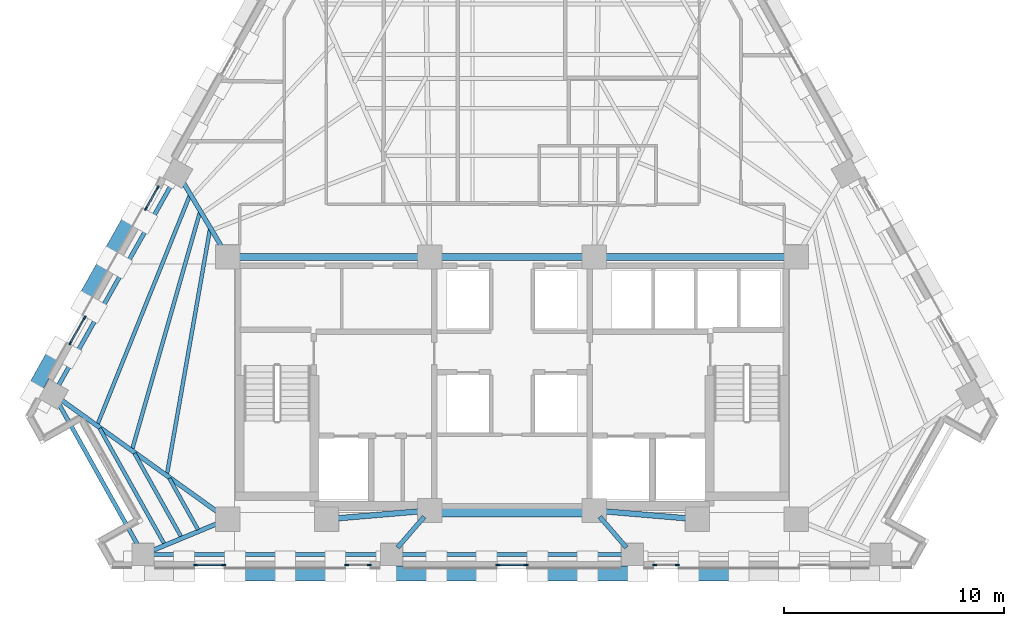
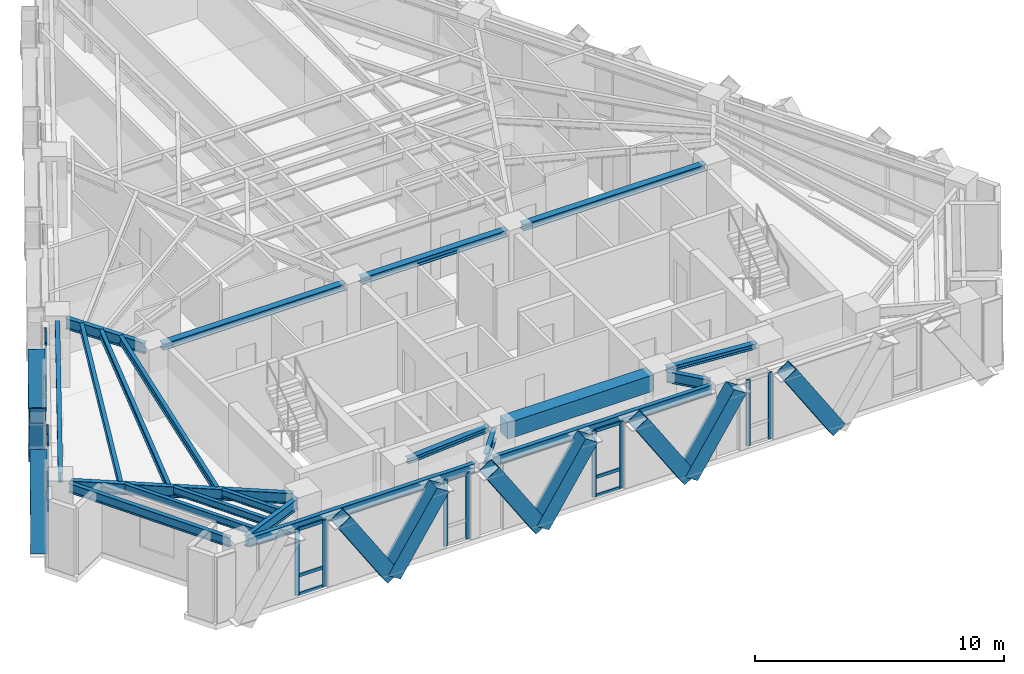
# One storey, part 2 of 13: 34 members, 21 beams, 6 elements without a shape of their own.
"""IFC4 building model written with IfcOpenShell, lengths in metres."""

from ifc_helpers import new_model, si_unit, direction, frame, origin, origin_2d, place, context, subcontext, project, spatial, rectangle, hollow_rectangle, i_section, extrude, material, material_profile, profile_set, type_object, element, aggregate, save


model = new_model("IFC4")

# Units and contexts
model_context = context("Model", 3, precision=1e-05, world=origin(), true_north=direction((0.0, 1.0)))
body_context = subcontext(model_context, "Body", "Model", "MODEL_VIEW")
ifc_project = project(units=[si_unit("LENGTHUNIT", "METRE"), si_unit("AREAUNIT", "SQUARE_METRE"), si_unit("VOLUMEUNIT", "CUBIC_METRE"), si_unit("PLANEANGLEUNIT", "RADIAN"), si_unit("MASSUNIT", "GRAM", prefix="KILO")], contexts=[model_context])

# Site, building, storey
site_placement = place(None, origin())
site = spatial("IfcSite", under=ifc_project, at=site_placement, CompositionType="ELEMENT")
building_placement = place(site_placement, origin())
building = spatial("IfcBuilding", under=site, at=building_placement, Name="Quenlor Broadcast Tower", CompositionType="ELEMENT")
storey_placement = place(building_placement, frame((0.0, 0.0, 172.0)))
storey = spatial("IfcBuildingStorey", under=building, at=storey_placement, Name="L47", CompositionType="ELEMENT", Elevation=172.0)

# Curtain wall, members
ifc_material_1 = material(Name="Architectural Terracotta and Low-E Glazing", Category="masonry")
curtain_wall_type = type_object("IfcCurtainWallType", Name="Unitised Terracotta Curtain Wall System Z3", PredefinedType="NOTDEFINED", material=ifc_material_1)
curtain_wall_1_placement = place(storey_placement, origin())
curtain_wall_1 = element("IfcCurtainWall", 1, at=curtain_wall_1_placement, inside=storey, type_object=curtain_wall_type, Name="L47 Curtain Wall CW3 (L47-SA-G2)", PredefinedType="NOTDEFINED")
ifc_material_2 = material(Name="Aluminium 6063-T6", Category="aluminium")
ifc_material_profile_1 = material_profile(ifc_material_2, rectangle(XDim=0.070068359375, YDim=0.18994140625, at=origin_2d()))
ifc_profile_set_1 = profile_set([ifc_material_profile_1], Name="Aluminium 6063-T6 MULL70x190")
member_type_1 = type_object("IfcMemberType", Name="CW3 Aluminium Mullion MULL_CW3", PredefinedType="MULLION", material=ifc_profile_set_1)
member_1_placement = place(storey_placement, frame((7.52197265625, -18.824951171875, 0.0), z_axis=(0.0, 0.0, 1.0), x_axis=(0.0, -1.0, 0.0)))
member_1 = element("IfcMember", 2, at=member_1_placement, type_object=member_type_1, Name="CW3 mullion 1", PredefinedType="MULLION", context=body_context, shape_type="SweptSolid", body=[
    extrude(rectangle(XDim=0.070068359375, YDim=0.18994140625, at=origin_2d()), origin(), (0.0, 0.0, 1.0), 3.25),
])
member_2_placement = place(storey_placement, frame((6.5009765625, -18.824951171875, 0.0), z_axis=(0.0, 0.0, 1.0), x_axis=(0.0, -1.0, 0.0)))
member_2 = element("IfcMember", 3, at=member_2_placement, type_object=member_type_1, Name="CW3 mullion 2", PredefinedType="MULLION", context=body_context, shape_type="SweptSolid", body=[
    extrude(rectangle(XDim=0.070068359375, YDim=0.18994140625, at=origin_2d()), origin(), (0.0, 0.0, 1.0), 3.25),
])
aggregate(curtain_wall_1, [member_1, member_2])

curtain_wall_2_placement = place(storey_placement, origin())
curtain_wall_2 = element("IfcCurtainWall", 4, at=curtain_wall_2_placement, inside=storey, type_object=curtain_wall_type, Name="L47 Curtain Wall CW3 (L47-SC-G1)", PredefinedType="NOTDEFINED")
member_3_placement = place(storey_placement, frame((-6.5009765625, -18.824951171875, 0.0), z_axis=(0.0, 0.0, 1.0), x_axis=(0.0, -1.0, 0.0)))
member_3 = element("IfcMember", 5, at=member_3_placement, type_object=member_type_1, Name="CW3 mullion 1", PredefinedType="MULLION", context=body_context, shape_type="SweptSolid", body=[
    extrude(rectangle(XDim=0.070068359375, YDim=0.18994140625, at=origin_2d()), origin(), (0.0, 0.0, 1.0), 3.25),
])
member_4_placement = place(storey_placement, frame((-7.52197265625, -18.824951171875, 0.0), z_axis=(0.0, 0.0, 1.0), x_axis=(0.0, -1.0, 0.0)))
member_4 = element("IfcMember", 6, at=member_4_placement, type_object=member_type_1, Name="CW3 mullion 2", PredefinedType="MULLION", context=body_context, shape_type="SweptSolid", body=[
    extrude(rectangle(XDim=0.070068359375, YDim=0.18994140625, at=origin_2d()), origin(), (0.0, 0.0, 1.0), 3.25),
])
aggregate(curtain_wall_2, [member_3, member_4])

curtain_wall_3_placement = place(storey_placement, origin())
curtain_wall_3 = element("IfcCurtainWall", 7, at=curtain_wall_3_placement, inside=storey, type_object=curtain_wall_type, Name="L47 Curtain Wall CW3 (L47-SC-G2)", PredefinedType="NOTDEFINED")
member_5_placement = place(storey_placement, frame((-13.14208984375, -18.824951171875, 0.0), z_axis=(0.0, 0.0, 1.0), x_axis=(0.0, -1.0, 0.0)))
member_5 = element("IfcMember", 8, at=member_5_placement, type_object=member_type_1, Name="CW3 mullion 1", PredefinedType="MULLION", context=body_context, shape_type="SweptSolid", body=[
    extrude(rectangle(XDim=0.070068359375, YDim=0.18994140625, at=origin_2d()), origin(), (0.0, 0.0, 1.0), 3.25),
])
member_6_placement = place(storey_placement, frame((-14.409912109375, -18.824951171875, 0.0), z_axis=(0.0, 0.0, 1.0), x_axis=(0.0, -1.0, 0.0)))
member_6 = element("IfcMember", 9, at=member_6_placement, type_object=member_type_1, Name="CW3 mullion 2", PredefinedType="MULLION", context=body_context, shape_type="SweptSolid", body=[
    extrude(rectangle(XDim=0.070068359375, YDim=0.18994140625, at=origin_2d()), origin(), (0.0, 0.0, 1.0), 3.25),
])

curtain_wall_4_placement = place(storey_placement, origin())
curtain_wall_4 = element("IfcCurtainWall", 10, at=curtain_wall_4_placement, inside=storey, type_object=curtain_wall_type, Name="L47 Curtain Wall CW3 (L47-S-G1)", PredefinedType="NOTDEFINED")
member_7_placement = place(storey_placement, frame((0.634033203125, -18.824951171875, 0.0), z_axis=(0.0, 0.0, 1.0), x_axis=(0.0, -1.0, 0.0)))
member_7 = element("IfcMember", 11, at=member_7_placement, type_object=member_type_1, Name="CW3 mullion 1", PredefinedType="MULLION", context=body_context, shape_type="SweptSolid", body=[
    extrude(rectangle(XDim=0.070068359375, YDim=0.18994140625, at=origin_2d()), origin(), (0.0, 0.0, 1.0), 3.25),
])
member_8_placement = place(storey_placement, frame((-0.634033203125, -18.824951171875, 0.0), z_axis=(0.0, 0.0, 1.0), x_axis=(0.0, -1.0, 0.0)))
member_8 = element("IfcMember", 12, at=member_8_placement, type_object=member_type_1, Name="CW3 mullion 2", PredefinedType="MULLION", context=body_context, shape_type="SweptSolid", body=[
    extrude(rectangle(XDim=0.070068359375, YDim=0.18994140625, at=origin_2d()), origin(), (0.0, 0.0, 1.0), 3.25),
])

curtain_wall_5_placement = place(storey_placement, origin())
curtain_wall_5 = element("IfcCurtainWall", 13, at=curtain_wall_5_placement, inside=storey, type_object=curtain_wall_type, Name="L47 Curtain Wall CW3 (L47-NWA-G1)", PredefinedType="NOTDEFINED")
member_9_placement = place(storey_placement, frame((-20.1171875, -8.720703125, 0.0), z_axis=(0.0, 0.0, 1.0), x_axis=(-0.871575537123, 0.490261239636, 0.0)))
member_9 = element("IfcMember", 14, at=member_9_placement, type_object=member_type_1, Name="CW3 mullion 1", PredefinedType="MULLION", context=body_context, shape_type="SweptSolid", body=[
    extrude(rectangle(XDim=0.070068359375, YDim=0.18994140625, at=origin_2d()), origin(), (0.0, 0.0, 1.0), 3.25),
])
member_10_placement = place(storey_placement, frame((-19.47021484375, -7.570556640625, 0.0), z_axis=(0.0, 0.0, 1.0), x_axis=(-0.871575537123, 0.490261239636, 0.0)))
member_10 = element("IfcMember", 15, at=member_10_placement, type_object=member_type_1, Name="CW3 mullion 2", PredefinedType="MULLION", context=body_context, shape_type="SweptSolid", body=[
    extrude(rectangle(XDim=0.070068359375, YDim=0.18994140625, at=origin_2d()), origin(), (0.0, 0.0, 1.0), 3.25),
])

curtain_wall_6_placement = place(storey_placement, origin())
curtain_wall_6 = element("IfcCurtainWall", 16, at=curtain_wall_6_placement, inside=storey, type_object=curtain_wall_type, Name="L47 Curtain Wall CW3 (L47-NWA-G2)", PredefinedType="NOTDEFINED")
member_11_placement = place(storey_placement, frame((-16.6689453125, -2.5908203125, 0.0), z_axis=(0.0, 0.0, 1.0), x_axis=(-0.871580169247, 0.490253004657, 0.0)))
member_11 = element("IfcMember", 17, at=member_11_placement, type_object=member_type_1, Name="CW3 mullion 1", PredefinedType="MULLION", context=body_context, shape_type="SweptSolid", body=[
    extrude(rectangle(XDim=0.070068359375, YDim=0.18994140625, at=origin_2d()), origin(), (0.0, 0.0, 1.0), 3.25),
])
member_12_placement = place(storey_placement, frame((-16.137939453125, -1.646728515625, 0.0), z_axis=(0.0, 0.0, 1.0), x_axis=(-0.871580169247, 0.490253004657, 0.0)))
member_12 = element("IfcMember", 18, at=member_12_placement, type_object=member_type_1, Name="CW3 mullion 2", PredefinedType="MULLION", context=body_context, shape_type="SweptSolid", body=[
    extrude(rectangle(XDim=0.070068359375, YDim=0.18994140625, at=origin_2d()), origin(), (0.0, 0.0, 1.0), 3.25),
])

# Member
ifc_material_3 = material(Name="Aluminium 6063-T6", Category="aluminium")
ifc_material_profile_2 = material_profile(ifc_material_3, rectangle(XDim=0.070068359375, YDim=0.155029296875, at=origin_2d()))
ifc_profile_set_2 = profile_set([ifc_material_profile_2], Name="Aluminium 6063-T6 TRAN70x155")
member_type_2 = type_object("IfcMemberType", Name="CW3 Aluminium Transom TRAN_CW3", PredefinedType="USERDEFINED", material=ifc_profile_set_2)
member_13_placement = place(storey_placement, frame((-13.177001953125, -18.824951171875, 0.034912109375), z_axis=(-1.0, 0.0, 0.0), x_axis=(0.0, -1.0, 0.0)))
member_13 = element("IfcMember", 19, at=member_13_placement, type_object=member_type_2, Name="CW3 transom 1.1", ObjectType="TRANSOM", PredefinedType="USERDEFINED", context=body_context, shape_type="SweptSolid", body=[
    extrude(rectangle(XDim=0.070068359375, YDim=0.155029296875, at=origin_2d()), origin(), (0.0, 0.0, 1.0), 1.197998046875),
])

member_14_placement = place(storey_placement, frame((-13.177001953125, -18.824951171875, 0.949951171875), z_axis=(-1.0, 0.0, 0.0), x_axis=(0.0, -1.0, 0.0)))
member_14 = element("IfcMember", 20, at=member_14_placement, type_object=member_type_2, Name="CW3 transom 1.2", ObjectType="TRANSOM", PredefinedType="USERDEFINED", context=body_context, shape_type="SweptSolid", body=[
    extrude(rectangle(XDim=0.070068359375, YDim=0.155029296875, at=origin_2d()), origin(), (0.0, 0.0, 1.0), 1.197998046875),
])

member_15_placement = place(storey_placement, frame((-13.177001953125, -18.824951171875, 3.215087890625), z_axis=(-1.0, 0.0, 0.0), x_axis=(0.0, -1.0, 0.0)))
member_15 = element("IfcMember", 21, at=member_15_placement, type_object=member_type_2, Name="CW3 transom 1.3", ObjectType="TRANSOM", PredefinedType="USERDEFINED", context=body_context, shape_type="SweptSolid", body=[
    extrude(rectangle(XDim=0.070068359375, YDim=0.155029296875, at=origin_2d()), origin(), (0.0, 0.0, 1.0), 1.197998046875),
])

aggregate(curtain_wall_3, [member_5, member_6, member_13, member_14, member_15])

member_16_placement = place(storey_placement, frame((0.59912109375, -18.824951171875, 0.034912109375), z_axis=(-1.0, 0.0, 0.0), x_axis=(0.0, -1.0, 0.0)))
member_16 = element("IfcMember", 22, at=member_16_placement, type_object=member_type_2, Name="CW3 transom 1.1", ObjectType="TRANSOM", PredefinedType="USERDEFINED", context=body_context, shape_type="SweptSolid", body=[
    extrude(rectangle(XDim=0.070068359375, YDim=0.155029296875, at=origin_2d()), origin(), (0.0, 0.0, 1.0), 1.1982421875),
])

member_17_placement = place(storey_placement, frame((0.59912109375, -18.824951171875, 0.949951171875), z_axis=(-1.0, 0.0, 0.0), x_axis=(0.0, -1.0, 0.0)))
member_17 = element("IfcMember", 23, at=member_17_placement, type_object=member_type_2, Name="CW3 transom 1.2", ObjectType="TRANSOM", PredefinedType="USERDEFINED", context=body_context, shape_type="SweptSolid", body=[
    extrude(rectangle(XDim=0.070068359375, YDim=0.155029296875, at=origin_2d()), origin(), (0.0, 0.0, 1.0), 1.1982421875),
])

member_18_placement = place(storey_placement, frame((0.59912109375, -18.824951171875, 3.215087890625), z_axis=(-1.0, 0.0, 0.0), x_axis=(0.0, -1.0, 0.0)))
member_18 = element("IfcMember", 24, at=member_18_placement, type_object=member_type_2, Name="CW3 transom 1.3", ObjectType="TRANSOM", PredefinedType="USERDEFINED", context=body_context, shape_type="SweptSolid", body=[
    extrude(rectangle(XDim=0.070068359375, YDim=0.155029296875, at=origin_2d()), origin(), (0.0, 0.0, 1.0), 1.1982421875),
])

aggregate(curtain_wall_4, [member_7, member_8, member_16, member_17, member_18])

member_19_placement = place(storey_placement, frame((-20.10009765625, -8.690185546875, 0.034912109375), z_axis=(0.490363266059, 0.871518139398, 0.0), x_axis=(-0.871518139398, 0.490363266059, 0.0)))
member_19 = element("IfcMember", 25, at=member_19_placement, type_object=member_type_2, Name="CW3 transom 1.1", ObjectType="TRANSOM", PredefinedType="USERDEFINED", context=body_context, shape_type="SweptSolid", body=[
    extrude(rectangle(XDim=0.070068359375, YDim=0.155029296875, at=origin_2d()), origin(), (0.0, 0.0, 1.0), 1.249755859375),
])

member_20_placement = place(storey_placement, frame((-20.10009765625, -8.690185546875, 0.949951171875), z_axis=(0.490363266059, 0.871518139398, 0.0), x_axis=(-0.871518139398, 0.490363266059, 0.0)))
member_20 = element("IfcMember", 26, at=member_20_placement, type_object=member_type_2, Name="CW3 transom 1.2", ObjectType="TRANSOM", PredefinedType="USERDEFINED", context=body_context, shape_type="SweptSolid", body=[
    extrude(rectangle(XDim=0.070068359375, YDim=0.155029296875, at=origin_2d()), origin(), (0.0, 0.0, 1.0), 1.249755859375),
])

member_21_placement = place(storey_placement, frame((-20.10009765625, -8.690185546875, 3.215087890625), z_axis=(0.490363266059, 0.871518139398, 0.0), x_axis=(-0.871518139398, 0.490363266059, 0.0)))
member_21 = element("IfcMember", 27, at=member_21_placement, type_object=member_type_2, Name="CW3 transom 1.3", ObjectType="TRANSOM", PredefinedType="USERDEFINED", context=body_context, shape_type="SweptSolid", body=[
    extrude(rectangle(XDim=0.070068359375, YDim=0.155029296875, at=origin_2d()), origin(), (0.0, 0.0, 1.0), 1.249755859375),
])

aggregate(curtain_wall_5, [member_9, member_10, member_19, member_20, member_21])

member_22_placement = place(storey_placement, frame((-16.65185546875, -2.560302734375, 0.034912109375), z_axis=(0.49015826449, 0.871633452635, 0.0), x_axis=(-0.871633452635, 0.49015826449, 0.0)))
member_22 = element("IfcMember", 28, at=member_22_placement, type_object=member_type_2, Name="CW3 transom 1.1", ObjectType="TRANSOM", PredefinedType="USERDEFINED", context=body_context, shape_type="SweptSolid", body=[
    extrude(rectangle(XDim=0.070068359375, YDim=0.155029296875, at=origin_2d()), origin(), (0.0, 0.0, 1.0), 1.01318359375),
])

member_23_placement = place(storey_placement, frame((-16.65185546875, -2.560302734375, 0.949951171875), z_axis=(0.49015826449, 0.871633452635, 0.0), x_axis=(-0.871633452635, 0.49015826449, 0.0)))
member_23 = element("IfcMember", 29, at=member_23_placement, type_object=member_type_2, Name="CW3 transom 1.2", ObjectType="TRANSOM", PredefinedType="USERDEFINED", context=body_context, shape_type="SweptSolid", body=[
    extrude(rectangle(XDim=0.070068359375, YDim=0.155029296875, at=origin_2d()), origin(), (0.0, 0.0, 1.0), 1.01318359375),
])

member_24_placement = place(storey_placement, frame((-16.65185546875, -2.560302734375, 3.215087890625), z_axis=(0.49015826449, 0.871633452635, 0.0), x_axis=(-0.871633452635, 0.49015826449, 0.0)))
member_24 = element("IfcMember", 30, at=member_24_placement, type_object=member_type_2, Name="CW3 transom 1.3", ObjectType="TRANSOM", PredefinedType="USERDEFINED", context=body_context, shape_type="SweptSolid", body=[
    extrude(rectangle(XDim=0.070068359375, YDim=0.155029296875, at=origin_2d()), origin(), (0.0, 0.0, 1.0), 1.01318359375),
])

aggregate(curtain_wall_6, [member_11, member_12, member_22, member_23, member_24])

# Beams
ifc_material_4 = material(Name="Concrete C50/60", Category="concrete")
ifc_material_profile_3 = material_profile(ifc_material_4, rectangle(XDim=0.60009765625, YDim=0.800048828125, at=origin_2d()))
ifc_profile_set_3 = profile_set([ifc_material_profile_3], Name="Concrete C50/60 RCB600x800")
beam_type_1 = type_object("IfcBeamType", Name="Core Coupling Beam Concrete C50/60 600x800", PredefinedType="BEAM", material=ifc_profile_set_3)
beam_1_placement = place(storey_placement, frame((-3.389892578125, -16.35009765625, 2.85009765625), z_axis=(1.0, 0.0, 0.0), x_axis=(0.0, 1.0, 0.0)))
element("IfcBeam", 31, at=beam_1_placement, inside=storey, type_object=beam_type_1, Name="L47 Core Coupling Beam 6", PredefinedType="BEAM", context=body_context, shape_type="SweptSolid", body=[
    extrude(rectangle(XDim=0.60009765625, YDim=0.800048828125, at=origin_2d()), origin(), (0.0, 0.0, 1.0), 6.77978515625),
])
ifc_material_5 = material(Name="Steel S355", Category="steel")
ifc_material_profile_4 = material_profile(ifc_material_5, i_section(OverallWidth=0.304931640625, OverallDepth=0.30810546875, WebThickness=0.010009765625, FlangeThickness=0.015380859375, FilletRadius=0.0166015625, at=origin_2d()))
ifc_profile_set_4 = profile_set([ifc_material_profile_4], Name="Steel S355 310UC96.8")
beam_type_2 = type_object("IfcBeamType", Name="Core Header Beam Steel S355 310UC96.8", PredefinedType="BEAM", material=ifc_profile_set_4)
beam_2_placement = place(storey_placement, frame((-3.389892578125, -4.800048828125, 3.095947265625), z_axis=(1.0, 0.0, 0.0), x_axis=(0.0, 1.0, 0.0)))
element("IfcBeam", 32, at=beam_2_placement, inside=storey, type_object=beam_type_2, Name="L47 Core Header Beam 2", PredefinedType="BEAM", context=body_context, shape_type="SweptSolid", body=[
    extrude(i_section(OverallWidth=0.304931640625, OverallDepth=0.30810546875, WebThickness=0.010009765625, FlangeThickness=0.015380859375, FilletRadius=0.0166015625, at=origin_2d()), origin(), (0.0, 0.0, 1.0), 6.77978515625),
])
ifc_material_6 = material(Name="Steel S355", Category="steel")
ifc_material_profile_5 = material_profile(ifc_material_6, i_section(OverallWidth=0.25390625, OverallDepth=0.25390625, WebThickness=0.008544921875, FlangeThickness=0.01416015625, FilletRadius=0.013916015625, at=origin_2d()))
ifc_profile_set_5 = profile_set([ifc_material_profile_5], Name="Steel S355 250UC72.9")
beam_type_3 = type_object("IfcBeamType", Name="Core Opening Lintel Beam Steel S355 250UC72.9", PredefinedType="LINTEL", material=ifc_profile_set_5)
for number, where, z_axis, x_axis, name in (
    (33, (-8.09130859375, -16.719482421875, 3.123046875), (0.996399763903, 0.084779186679, 0.0), (-0.084779186679, 0.996399763903, 0.0), "L47 Core Opening Lintel Beam 4"),
    (34, (4.108642578125, -16.380615234375, 3.123046875), (0.996399763903, -0.084779186679, 0.0), (0.084779186679, 0.996399763903, 0.0), "L47 Core Opening Lintel Beam 5"),
):
    element("IfcBeam", number, at=place(storey_placement, frame(where, z_axis=z_axis, x_axis=x_axis)), inside=storey, type_object=beam_type_3, Name=name, PredefinedType="LINTEL", context=body_context, shape_type="SweptSolid", body=[
        extrude(i_section(OverallWidth=0.25390625, OverallDepth=0.25390625, WebThickness=0.008544921875, FlangeThickness=0.01416015625, FilletRadius=0.013916015625, at=origin_2d()), origin(), (0.0, 0.0, 1.0), 3.9970703125),
    ])
ifc_material_7 = material(Name="Steel S355", Category="steel")
ifc_material_profile_6 = material_profile(ifc_material_7, i_section(OverallWidth=0.306884765625, OverallDepth=0.314697265625, WebThickness=0.011962890625, FlangeThickness=0.018798828125, FilletRadius=0.0166015625, at=origin_2d()))
ifc_profile_set_6 = profile_set([ifc_material_profile_6], Name="Steel S355 310UC118")
beam_type_4 = type_object("IfcBeamType", Name="Core Tie Beam Steel S355 310UC118", PredefinedType="BEAM", material=ifc_profile_set_6)
for number, where, z_axis, x_axis, name in (
    (35, (-12.590087890625, -4.800048828125, 3.0927734375), (1.0, 0.0, 0.0), (0.0, 1.0, 0.0), "L47 Core Tie Beam 1"),
    (36, (4.110107421875, -4.800048828125, 3.0927734375), (1.0, 0.0, 0.0), (0.0, 1.0, 0.0), "L47 Core Tie Beam 3"),
):
    element("IfcBeam", number, at=place(storey_placement, frame(where, z_axis=z_axis, x_axis=x_axis)), inside=storey, type_object=beam_type_4, Name=name, PredefinedType="BEAM", context=body_context, shape_type="SweptSolid", body=[
        extrude(i_section(OverallWidth=0.306884765625, OverallDepth=0.314697265625, WebThickness=0.011962890625, FlangeThickness=0.018798828125, FilletRadius=0.0166015625, at=origin_2d()), origin(), (0.0, 0.0, 1.0), 8.47998046875),
    ])

# Members
ifc_material_8 = material(Name="Steel S355", Category="steel")
ifc_material_profile_7 = material_profile(ifc_material_8, hollow_rectangle(XDim=0.679931640625, YDim=0.679931640625, WallThickness=0.02490234375, at=origin_2d()))
ifc_profile_set_7 = profile_set([ifc_material_profile_7], Name="Steel S355 RHS680x680x25")
member_type_3 = type_object("IfcMemberType", Name="Perimeter Diagonal Lattice Brace Z3-Z4 Steel S355 RHS680x25", PredefinedType="BRACE", material=ifc_profile_set_7)
member_25_placement = place(storey_placement, frame((10.318115234375, -19.219970703125, -0.1201171875), z_axis=(-0.543860340502, 0.0, 0.839175744424), x_axis=(0.0, -1.0, 0.0)))
element("IfcMember", 37, at=member_25_placement, inside=storey, type_object=member_type_3, Name="L47 Perimeter Diamond Lattice S-C2S", PredefinedType="BRACE", context=body_context, shape_type="SweptSolid", body=[
    extrude(hollow_rectangle(XDim=0.679931640625, YDim=0.679931640625, WallThickness=0.02490234375, at=origin_2d()), origin(), (0.0, 0.0, 1.0), 4.170654296875),
])
member_26_placement = place(storey_placement, frame((3.457763671875, -19.219970703125, -0.1201171875), z_axis=(0.543901560697, 0.0, 0.839149028643), x_axis=(0.0, 1.0, 0.0)))
element("IfcMember", 38, at=member_26_placement, inside=storey, type_object=member_type_3, Name="L47 Perimeter Diamond Lattice S-C2B", PredefinedType="BRACE", context=body_context, shape_type="SweptSolid", body=[
    extrude(hollow_rectangle(XDim=0.679931640625, YDim=0.679931640625, WallThickness=0.02490234375, at=origin_2d()), origin(), (0.0, 0.0, 1.0), 4.1708984375),
])
for number, where, z_axis, x_axis, name in (
    (39, (3.43017578125, -19.219970703125, -0.1201171875), (-0.543860340502, 0.0, 0.839175744424), (0.0, -1.0, 0.0), "L47 Perimeter Diamond Lattice S-C3S"),
    (40, (-3.43017578125, -19.219970703125, -0.1201171875), (0.543860340502, 0.0, 0.839175744424), (0.0, 1.0, 0.0), "L47 Perimeter Diamond Lattice S-C3B"),
):
    element("IfcMember", number, at=place(storey_placement, frame(where, z_axis=z_axis, x_axis=x_axis)), inside=storey, type_object=member_type_3, Name=name, PredefinedType="BRACE", context=body_context, shape_type="SweptSolid", body=[
        extrude(hollow_rectangle(XDim=0.679931640625, YDim=0.679931640625, WallThickness=0.02490234375, at=origin_2d()), origin(), (0.0, 0.0, 1.0), 4.170654296875),
    ])
member_27_placement = place(storey_placement, frame((-3.457763671875, -19.219970703125, -0.1201171875), z_axis=(-0.543901560697, 0.0, 0.839149028643), x_axis=(0.0, -1.0, 0.0)))
element("IfcMember", 41, at=member_27_placement, inside=storey, type_object=member_type_3, Name="L47 Perimeter Diamond Lattice S-C4S", PredefinedType="BRACE", context=body_context, shape_type="SweptSolid", body=[
    extrude(hollow_rectangle(XDim=0.679931640625, YDim=0.679931640625, WallThickness=0.02490234375, at=origin_2d()), origin(), (0.0, 0.0, 1.0), 4.1708984375),
])
member_28_placement = place(storey_placement, frame((-10.318115234375, -19.219970703125, -0.1201171875), z_axis=(0.543860340502, 0.0, 0.839175744424), x_axis=(0.0, 1.0, 0.0)))
element("IfcMember", 42, at=member_28_placement, inside=storey, type_object=member_type_3, Name="L47 Perimeter Diamond Lattice S-C4B", PredefinedType="BRACE", context=body_context, shape_type="SweptSolid", body=[
    extrude(hollow_rectangle(XDim=0.679931640625, YDim=0.679931640625, WallThickness=0.02490234375, at=origin_2d()), origin(), (0.0, 0.0, 1.0), 4.170654296875),
])
member_29_placement = place(storey_placement, frame((-10.345703125, -19.219970703125, -0.1201171875), z_axis=(-0.543901560697, 0.0, 0.839149028643), x_axis=(0.0, -1.0, 0.0)))
element("IfcMember", 43, at=member_29_placement, inside=storey, type_object=member_type_3, Name="L47 Perimeter Diamond Lattice S-C5S", PredefinedType="BRACE", context=body_context, shape_type="SweptSolid", body=[
    extrude(hollow_rectangle(XDim=0.679931640625, YDim=0.679931640625, WallThickness=0.02490234375, at=origin_2d()), origin(), (0.0, 0.0, 1.0), 4.1708984375),
])
for number, where, z_axis, x_axis, name in (
    (44, (-21.85498046875, -11.004638671875, -0.1201171875), (0.2705491942, 0.481008661973, 0.833926735766), (-0.871589611547, 0.490236217596, 0.0), "L47 Perimeter Diamond Lattice NW-C1S"),
    (45, (-18.4208984375, -4.8994140625, -0.1201171875), (-0.2705491942, -0.481008661973, 0.833926735766), (0.871589611547, -0.490236217596, 0.0), "L47 Perimeter Diamond Lattice NW-C1B"),
    (46, (-18.406982421875, -4.874755859375, -0.1201171875), (0.2705491942, 0.481008661973, 0.833926735766), (-0.871589611547, 0.490236217596, 0.0), "L47 Perimeter Diamond Lattice NW-C2S"),
):
    element("IfcMember", number, at=place(storey_placement, frame(where, z_axis=z_axis, x_axis=x_axis)), inside=storey, type_object=member_type_3, Name=name, PredefinedType="BRACE", context=body_context, shape_type="SweptSolid", body=[
        extrude(hollow_rectangle(XDim=0.679931640625, YDim=0.679931640625, WallThickness=0.02490234375, at=origin_2d()), origin(), (0.0, 0.0, 1.0), 4.197021484375),
    ])

# Beams
ifc_material_9 = material(Name="Steel S355", Category="steel")
ifc_material_profile_8 = material_profile(ifc_material_9, i_section(OverallWidth=0.19091796875, OverallDepth=0.46044921875, WebThickness=0.010009765625, FlangeThickness=0.01611328125, FilletRadius=0.011474609375, at=origin_2d()))
ifc_profile_set_8 = profile_set([ifc_material_profile_8], Name="Steel S355 460UB82.1")
beam_type_5 = type_object("IfcBeamType", Name="Perimeter Spandrel Beam Z3 Steel S355 460UB82.1", PredefinedType="SPANDREL", material=ifc_profile_set_8)
beam_3_placement = place(storey_placement, frame((-16.3984375, -18.35009765625, 3.019775390625), z_axis=(1.0, 0.0, 0.0), x_axis=(0.0, 1.0, 0.0)))
element("IfcBeam", 47, at=beam_3_placement, inside=storey, type_object=beam_type_5, Name="L47 Spandrel Beam S1-S2", PredefinedType="SPANDREL", context=body_context, shape_type="SweptSolid", body=[
    extrude(i_section(OverallWidth=0.19091796875, OverallDepth=0.46044921875, WebThickness=0.010009765625, FlangeThickness=0.01611328125, FilletRadius=0.011474609375, at=origin_2d()), origin(), (0.0, 0.0, 1.0), 10.50732421875),
])
beam_4_placement = place(storey_placement, frame((-5.071044921875, -18.35009765625, 3.019775390625), z_axis=(1.0, 0.0, 0.0), x_axis=(0.0, 1.0, 0.0)))
element("IfcBeam", 48, at=beam_4_placement, inside=storey, type_object=beam_type_5, Name="L47 Spandrel Beam S2-S3", PredefinedType="SPANDREL", context=body_context, shape_type="SweptSolid", body=[
    extrude(i_section(OverallWidth=0.19091796875, OverallDepth=0.46044921875, WebThickness=0.010009765625, FlangeThickness=0.01611328125, FilletRadius=0.011474609375, at=origin_2d()), origin(), (0.0, 0.0, 1.0), 10.14208984375),
])
beam_5_placement = place(storey_placement, frame((-15.425048828125, -1.347900390625, 3.019775390625), z_axis=(-0.490257999604, -0.871577359633, 0.0), x_axis=(0.871577359633, -0.490257999604, 0.0)))
element("IfcBeam", 49, at=beam_5_placement, inside=storey, type_object=beam_type_5, Name="L47 Spandrel Beam NW3-NW4", PredefinedType="SPANDREL", context=body_context, shape_type="SweptSolid", body=[
    extrude(i_section(OverallWidth=0.19091796875, OverallDepth=0.46044921875, WebThickness=0.010009765625, FlangeThickness=0.01611328125, FilletRadius=0.011474609375, at=origin_2d()), origin(), (0.0, 0.0, 1.0), 10.732666015625),
])
beam_6_placement = place(storey_placement, frame((-20.6875, -11.417236328125, 3.019775390625), z_axis=(0.488298439934, -0.872676706208, 0.0), x_axis=(0.872676706208, 0.488298439934, 0.0)))
element("IfcBeam", 50, at=beam_6_placement, inside=storey, type_object=beam_type_5, Name="L47 Spandrel Beam NW4-S1", PredefinedType="SPANDREL", context=body_context, shape_type="SweptSolid", body=[
    extrude(i_section(OverallWidth=0.19091796875, OverallDepth=0.46044921875, WebThickness=0.010009765625, FlangeThickness=0.01611328125, FilletRadius=0.011474609375, at=origin_2d()), origin(), (0.0, 0.0, 1.0), 7.5341796875),
])
ifc_material_10 = material(Name="Steel S355", Category="steel")
ifc_material_profile_9 = material_profile(ifc_material_10, i_section(OverallWidth=0.172119140625, OverallDepth=0.358642578125, WebThickness=0.008056640625, FlangeThickness=0.012939453125, FilletRadius=0.011474609375, at=origin_2d()))
ifc_profile_set_9 = profile_set([ifc_material_profile_9], Name="Steel S355 360UB56.7")
beam_type_6 = type_object("IfcBeamType", Name="Tower Composite Joist Z2-Z3 Steel S355 360UB56.7", PredefinedType="JOIST", material=ifc_profile_set_9)
beam_7_placement = place(storey_placement, frame((-15.71435546875, -14.679443359375, 3.07080078125), z_axis=(0.172906811417, 0.984938188195, 0.0), x_axis=(-0.984938188195, 0.172906811417, 0.0)))
element("IfcBeam", 51, at=beam_7_placement, inside=storey, type_object=beam_type_6, Name="L47 Secondary Composite Joist 13", PredefinedType="JOIST", context=body_context, shape_type="SweptSolid", body=[
    extrude(i_section(OverallWidth=0.172119140625, OverallDepth=0.358642578125, WebThickness=0.008056640625, FlangeThickness=0.012939453125, FilletRadius=0.011474609375, at=origin_2d()), origin(), (0.0, 0.0, 1.0), 11.30419921875),
])
beam_8_placement = place(storey_placement, frame((-17.293701171875, -13.543212890625, 3.07080078125), z_axis=(0.274418577045, 0.961610339261, 0.0), x_axis=(-0.961610339261, 0.274418577045, 0.0)))
element("IfcBeam", 52, at=beam_8_placement, inside=storey, type_object=beam_type_6, Name="L47 Secondary Composite Joist 14", PredefinedType="JOIST", context=body_context, shape_type="SweptSolid", body=[
    extrude(i_section(OverallWidth=0.172119140625, OverallDepth=0.358642578125, WebThickness=0.008056640625, FlangeThickness=0.012939453125, FilletRadius=0.011474609375, at=origin_2d()), origin(), (0.0, 0.0, 1.0), 11.191162109375),
])
beam_9_placement = place(storey_placement, frame((-18.873291015625, -12.407958984375, 3.07080078125), z_axis=(0.373824118901, 0.927499610851, 0.0), x_axis=(-0.927499610851, 0.373824118901, 0.0)))
element("IfcBeam", 53, at=beam_9_placement, inside=storey, type_object=beam_type_6, Name="L47 Secondary Composite Joist 15", PredefinedType="JOIST", context=body_context, shape_type="SweptSolid", body=[
    extrude(i_section(OverallWidth=0.172119140625, OverallDepth=0.358642578125, WebThickness=0.008056640625, FlangeThickness=0.012939453125, FilletRadius=0.011474609375, at=origin_2d()), origin(), (0.0, 0.0, 1.0), 11.203125),
])
beam_10_placement = place(storey_placement, frame((-14.30078125, -17.22412109375, 3.07080078125), z_axis=(-0.488370382241, 0.87263644764, 0.0), x_axis=(-0.87263644764, -0.488370382241, 0.0)))
element("IfcBeam", 54, at=beam_10_placement, inside=storey, type_object=beam_type_6, Name="L47 Secondary Composite Joist 19", PredefinedType="JOIST", context=body_context, shape_type="SweptSolid", body=[
    extrude(i_section(OverallWidth=0.172119140625, OverallDepth=0.358642578125, WebThickness=0.008056640625, FlangeThickness=0.012939453125, FilletRadius=0.011474609375, at=origin_2d()), origin(), (0.0, 0.0, 1.0), 2.680419921875),
])
beam_11_placement = place(storey_placement, frame((-15.072509765625, -17.544189453125, 3.07080078125), z_axis=(-0.488294103756, 0.872679132463, 0.0), x_axis=(-0.872679132463, -0.488294103756, 0.0)))
element("IfcBeam", 55, at=beam_11_placement, inside=storey, type_object=beam_type_6, Name="L47 Secondary Composite Joist 20", PredefinedType="JOIST", context=body_context, shape_type="SweptSolid", body=[
    extrude(i_section(OverallWidth=0.172119140625, OverallDepth=0.358642578125, WebThickness=0.008056640625, FlangeThickness=0.012939453125, FilletRadius=0.011474609375, at=origin_2d()), origin(), (0.0, 0.0, 1.0), 4.351318359375),
])
beam_12_placement = place(storey_placement, frame((-15.84423828125, -17.8642578125, 3.07080078125), z_axis=(-0.488308300212, 0.872671188905, 0.0), x_axis=(-0.872671188905, -0.488308300212, 0.0)))
element("IfcBeam", 56, at=beam_12_placement, inside=storey, type_object=beam_type_6, Name="L47 Secondary Composite Joist 21", PredefinedType="JOIST", context=body_context, shape_type="SweptSolid", body=[
    extrude(i_section(OverallWidth=0.172119140625, OverallDepth=0.358642578125, WebThickness=0.008056640625, FlangeThickness=0.012939453125, FilletRadius=0.011474609375, at=origin_2d()), origin(), (0.0, 0.0, 1.0), 6.022216796875),
])
ifc_material_11 = material(Name="Steel S355", Category="steel")
ifc_material_profile_10 = material_profile(ifc_material_11, i_section(OverallWidth=0.208984375, OverallDepth=0.532958984375, WebThickness=0.01025390625, FlangeThickness=0.015625, FilletRadius=0.013916015625, at=origin_2d()))
ifc_profile_set_10 = profile_set([ifc_material_profile_10], Name="Steel S355 530UB92.4")
beam_type_7 = type_object("IfcBeamType", Name="Tower Primary Floor Beam Z3 Steel S355 530UB92.4", PredefinedType="BEAM", material=ifc_profile_set_10)
beam_13_placement = place(storey_placement, frame((-16.4296875, -18.19287109375, 2.9833984375), z_axis=(0.923730294618, 0.383043525993, 0.0), x_axis=(-0.383043525993, 0.923730294618, 0.0)))
element("IfcBeam", 57, at=beam_13_placement, inside=storey, type_object=beam_type_7, Name="L47 Primary Radial Beam S1", PredefinedType="BEAM", context=body_context, shape_type="SweptSolid", body=[
    extrude(i_section(OverallWidth=0.208984375, OverallDepth=0.532958984375, WebThickness=0.01025390625, FlangeThickness=0.015625, FilletRadius=0.013916015625, at=origin_2d()), origin(), (0.0, 0.0, 1.0), 3.386962890625),
])
for number, where, z_axis, x_axis, name in (
    (58, (-5.212646484375, -18.0400390625, 2.9833984375), (0.654339118401, 0.75620124182, 0.0), (-0.75620124182, 0.654339118401, 0.0), "L47 Primary Radial Beam S2"),
    (59, (5.212646484375, -18.0400390625, 2.9833984375), (-0.654339118401, 0.75620124182, 0.0), (-0.75620124182, -0.654339118401, 0.0), "L47 Primary Radial Beam S3"),
):
    element("IfcBeam", number, at=place(storey_placement, frame(where, z_axis=z_axis, x_axis=x_axis)), inside=storey, type_object=beam_type_7, Name=name, PredefinedType="BEAM", context=body_context, shape_type="SweptSolid", body=[
        extrude(i_section(OverallWidth=0.208984375, OverallDepth=0.532958984375, WebThickness=0.01025390625, FlangeThickness=0.015625, FilletRadius=0.013916015625, at=origin_2d()), origin(), (0.0, 0.0, 1.0), 1.855224609375),
    ])
beam_14_placement = place(storey_placement, frame((-15.013916015625, -1.3427734375, 2.9833984375), z_axis=(0.512604023694, -0.858625130597, 0.0), x_axis=(0.858625130597, 0.512604023694, 0.0)))
element("IfcBeam", 60, at=beam_14_placement, inside=storey, type_object=beam_type_7, Name="L47 Primary Radial Beam NW3", PredefinedType="BEAM", context=body_context, shape_type="SweptSolid", body=[
    extrude(i_section(OverallWidth=0.208984375, OverallDepth=0.532958984375, WebThickness=0.01025390625, FlangeThickness=0.015625, FilletRadius=0.013916015625, at=origin_2d()), origin(), (0.0, 0.0, 1.0), 3.646484375),
])
beam_15_placement = place(storey_placement, frame((-20.554443359375, -11.29833984375, 2.9833984375), z_axis=(0.812728908832, -0.582642017666, 0.0), x_axis=(0.582642017666, 0.812728908832, 0.0)))
element("IfcBeam", 61, at=beam_15_placement, inside=storey, type_object=beam_type_7, Name="L47 Primary Radial Beam NW4", PredefinedType="BEAM", context=body_context, shape_type="SweptSolid", body=[
    extrude(i_section(OverallWidth=0.208984375, OverallDepth=0.532958984375, WebThickness=0.01025390625, FlangeThickness=0.015625, FilletRadius=0.013916015625, at=origin_2d()), origin(), (0.0, 0.0, 1.0), 8.976806640625),
])

save(model, "model.ifc")
